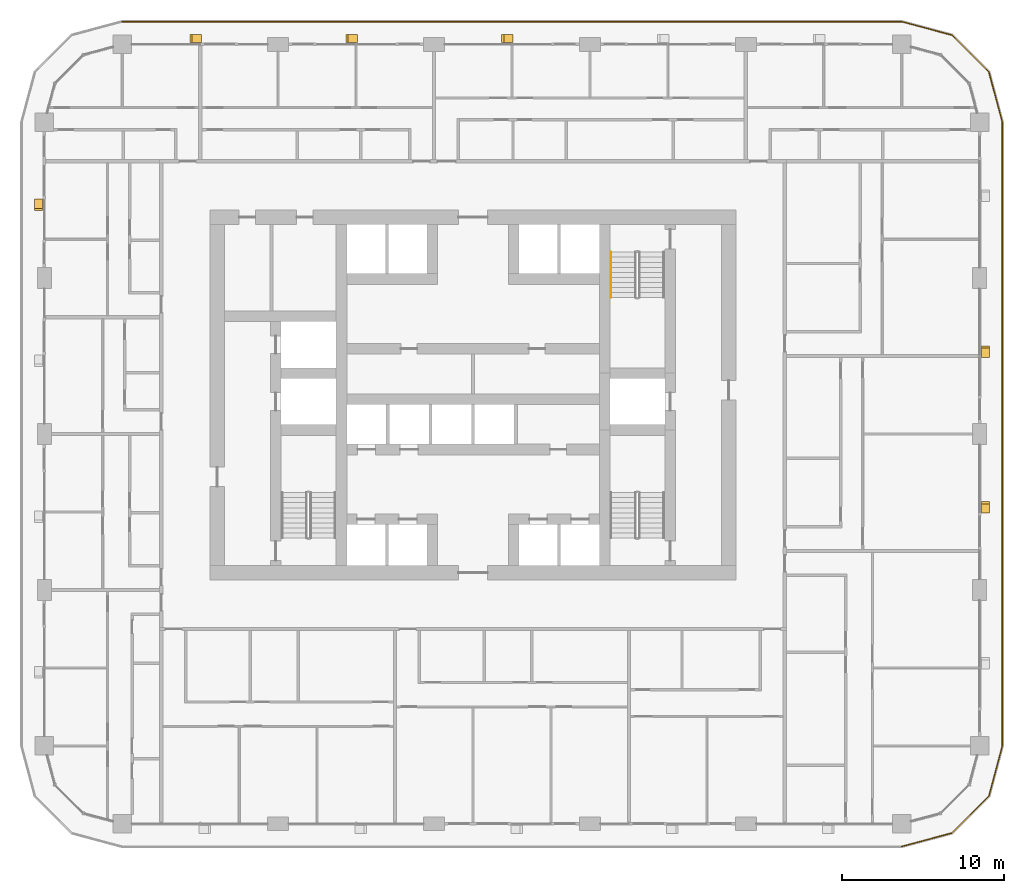
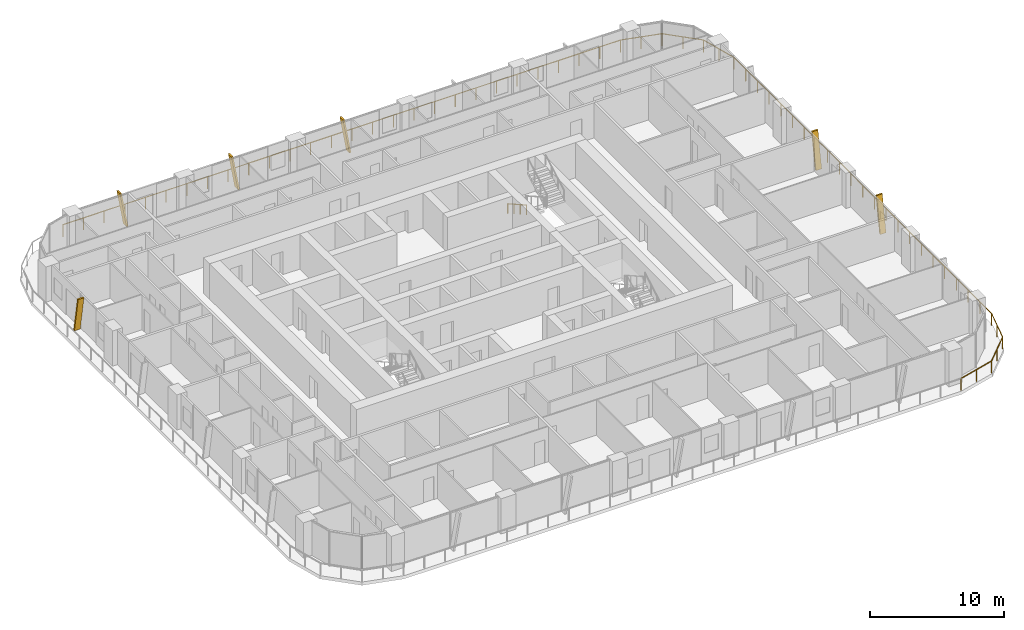
# One storey, part 21 of 22: 6 shading devices, 2 railings.
"""IFC4 building model written with IfcOpenShell, lengths in metres."""

from ifc_helpers import new_model, si_unit, direction, frame, origin, origin_2d, place, context, subcontext, project, spatial, polyline, circle, outline, extrude, material, type_object, element, save


model = new_model("IFC4")

# Units and contexts
model_context = context("Model", 3, precision=1e-05, world=origin(), true_north=direction((0.0, 1.0)))
body_context = subcontext(model_context, "Body", "Model", "MODEL_VIEW")
ifc_project = project(units=[si_unit("LENGTHUNIT", "METRE"), si_unit("AREAUNIT", "SQUARE_METRE"), si_unit("VOLUMEUNIT", "CUBIC_METRE"), si_unit("PLANEANGLEUNIT", "RADIAN"), si_unit("MASSUNIT", "GRAM", prefix="KILO")], contexts=[model_context])

# Site, building, storey
site_placement = place(None, origin())
site = spatial("IfcSite", under=ifc_project, at=site_placement, CompositionType="ELEMENT")
building_placement = place(site_placement, origin())
building = spatial("IfcBuilding", under=site, at=building_placement, Name="Madar Terraces", CompositionType="ELEMENT")
storey_placement = place(building_placement, frame((0.0, 0.0, 62.800048828125)))
storey = spatial("IfcBuildingStorey", under=building, at=storey_placement, Name="L15", CompositionType="ELEMENT", Elevation=62.800048828125)

# Railing
ifc_material_1 = material(Name="Glass, safety glazing, with stainless steel posts", Category="steel")
railing_type_1 = type_object("IfcRailingType", Name="Balcony glass guard 1100", PredefinedType="GUARDRAIL", material=ifc_material_1)
railing_1_placement = place(storey_placement, frame((57.60009765625, -1.39990234375, 0.0)))
element("IfcRailing", 1, at=railing_1_placement, inside=storey, type_object=railing_type_1, Name="Balcony guard", PredefinedType="GUARDRAIL", context=body_context, shape_type="SweptSolid", body=[
    extrude(circle(Radius=0.02392578125, at=origin_2d()), frame((0.0, 0.0, 1.076171875), z_axis=(0.965928696102, 0.258808334578, 0.0), x_axis=(-0.258808334578, 0.965928696102, 0.0)), (0.0, 0.0, 1.0), 3.209228515625),
    extrude(circle(Radius=0.02392578125, at=origin_2d()), frame((3.099853515625, 0.83056640625, 1.076171875), z_axis=(0.707144815061, 0.707068745266, 0.0), x_axis=(-0.707068745266, 0.707144815061, 0.0)), (0.0, 0.0, 1.0), 3.20947265625),
    extrude(circle(Radius=0.02392578125, at=origin_2d()), frame((5.369384765625, 3.099853515625, 1.076171875), z_axis=(0.258789317819, 0.9659337912, 0.0), x_axis=(-0.9659337912, 0.258789317819, 0.0)), (0.0, 0.0, 1.0), 3.20947265625),
    extrude(circle(Radius=0.02392578125, at=origin_2d()), frame((6.199951171875, 6.199951171875, 1.076171875), z_axis=(0.0, 1.0, 0.0), x_axis=(-1.0, 0.0, 0.0)), (0.0, 0.0, 1.0), 38.39990234375),
    extrude(circle(Radius=0.02392578125, at=origin_2d()), frame((6.199951171875, 44.599853515625, 1.076171875), z_axis=(-0.258789317819, 0.9659337912, 0.0), x_axis=(-0.9659337912, -0.258789317819, 0.0)), (0.0, 0.0, 1.0), 3.20947265625),
    extrude(circle(Radius=0.02392578125, at=origin_2d()), frame((5.369384765625, 47.699951171875, 1.076171875), z_axis=(-0.707144815061, 0.707068745266, 0.0), x_axis=(-0.707068745266, -0.707144815061, 0.0)), (0.0, 0.0, 1.0), 3.20947265625),
    extrude(circle(Radius=0.02392578125, at=origin_2d()), frame((3.099853515625, 49.96923828125, 1.076171875), z_axis=(-0.965928696102, 0.258808334578, 0.0), x_axis=(-0.258808334578, -0.965928696102, 0.0)), (0.0, 0.0, 1.0), 3.209228515625),
    extrude(circle(Radius=0.02392578125, at=origin_2d()), frame((0.0, 50.7998046875, 1.076171875), z_axis=(-1.0, 0.0, 0.0), x_axis=(0.0, -1.0, 0.0)), (0.0, 0.0, 1.0), 48.0),
    extrude(circle(Radius=0.02099609375, at=origin_2d()), origin(), (0.0, 0.0, 1.0), 1.052001953125),
    extrude(circle(Radius=0.02099609375, at=origin_2d()), frame((1.5498046875, 0.415283203125, 0.0)), (0.0, 0.0, 1.0), 1.052001953125),
    extrude(circle(Radius=0.02099609375, at=origin_2d()), frame((3.099853515625, 0.83056640625, 0.0)), (0.0, 0.0, 1.0), 1.052001953125),
    extrude(circle(Radius=0.02099609375, at=origin_2d()), frame((4.234619140625, 1.96533203125, 0.0)), (0.0, 0.0, 1.0), 1.052001953125),
    extrude(circle(Radius=0.02099609375, at=origin_2d()), frame((5.369384765625, 3.099853515625, 0.0)), (0.0, 0.0, 1.0), 1.052001953125),
    extrude(circle(Radius=0.02099609375, at=origin_2d()), frame((5.78466796875, 4.64990234375, 0.0)), (0.0, 0.0, 1.0), 1.052001953125),
    extrude(circle(Radius=0.02099609375, at=origin_2d()), frame((6.199951171875, 6.199951171875, 0.0)), (0.0, 0.0, 1.0), 1.052001953125),
    extrude(circle(Radius=0.02099609375, at=origin_2d()), frame((6.199951171875, 7.9453125, 0.0)), (0.0, 0.0, 1.0), 1.052001953125),
    extrude(circle(Radius=0.02099609375, at=origin_2d()), frame((6.199951171875, 9.69091796875, 0.0)), (0.0, 0.0, 1.0), 1.052001953125),
    extrude(circle(Radius=0.02099609375, at=origin_2d()), frame((6.199951171875, 11.436279296875, 0.0)), (0.0, 0.0, 1.0), 1.052001953125),
    extrude(circle(Radius=0.02099609375, at=origin_2d()), frame((6.199951171875, 13.181640625, 0.0)), (0.0, 0.0, 1.0), 1.052001953125),
    extrude(circle(Radius=0.02099609375, at=origin_2d()), frame((6.199951171875, 14.92724609375, 0.0)), (0.0, 0.0, 1.0), 1.052001953125),
    extrude(circle(Radius=0.02099609375, at=origin_2d()), frame((6.199951171875, 16.672607421875, 0.0)), (0.0, 0.0, 1.0), 1.052001953125),
    extrude(circle(Radius=0.02099609375, at=origin_2d()), frame((6.199951171875, 18.418212890625, 0.0)), (0.0, 0.0, 1.0), 1.052001953125),
    extrude(circle(Radius=0.02099609375, at=origin_2d()), frame((6.199951171875, 20.16357421875, 0.0)), (0.0, 0.0, 1.0), 1.052001953125),
    extrude(circle(Radius=0.02099609375, at=origin_2d()), frame((6.199951171875, 21.908935546875, 0.0)), (0.0, 0.0, 1.0), 1.052001953125),
    extrude(circle(Radius=0.02099609375, at=origin_2d()), frame((6.199951171875, 23.654541015625, 0.0)), (0.0, 0.0, 1.0), 1.052001953125),
    extrude(circle(Radius=0.02099609375, at=origin_2d()), frame((6.199951171875, 25.39990234375, 0.0)), (0.0, 0.0, 1.0), 1.052001953125),
    extrude(circle(Radius=0.02099609375, at=origin_2d()), frame((6.199951171875, 27.145263671875, 0.0)), (0.0, 0.0, 1.0), 1.052001953125),
    extrude(circle(Radius=0.02099609375, at=origin_2d()), frame((6.199951171875, 28.890869140625, 0.0)), (0.0, 0.0, 1.0), 1.052001953125),
    extrude(circle(Radius=0.02099609375, at=origin_2d()), frame((6.199951171875, 30.63623046875, 0.0)), (0.0, 0.0, 1.0), 1.052001953125),
    extrude(circle(Radius=0.02099609375, at=origin_2d()), frame((6.199951171875, 32.381591796875, 0.0)), (0.0, 0.0, 1.0), 1.052001953125),
    extrude(circle(Radius=0.02099609375, at=origin_2d()), frame((6.199951171875, 34.127197265625, 0.0)), (0.0, 0.0, 1.0), 1.052001953125),
    extrude(circle(Radius=0.02099609375, at=origin_2d()), frame((6.199951171875, 35.87255859375, 0.0)), (0.0, 0.0, 1.0), 1.052001953125),
    extrude(circle(Radius=0.02099609375, at=origin_2d()), frame((6.199951171875, 37.6181640625, 0.0)), (0.0, 0.0, 1.0), 1.052001953125),
    extrude(circle(Radius=0.02099609375, at=origin_2d()), frame((6.199951171875, 39.363525390625, 0.0)), (0.0, 0.0, 1.0), 1.052001953125),
    extrude(circle(Radius=0.02099609375, at=origin_2d()), frame((6.199951171875, 41.10888671875, 0.0)), (0.0, 0.0, 1.0), 1.052001953125),
    extrude(circle(Radius=0.02099609375, at=origin_2d()), frame((6.199951171875, 42.8544921875, 0.0)), (0.0, 0.0, 1.0), 1.052001953125),
    extrude(circle(Radius=0.02099609375, at=origin_2d()), frame((6.199951171875, 44.599853515625, 0.0)), (0.0, 0.0, 1.0), 1.052001953125),
    extrude(circle(Radius=0.02099609375, at=origin_2d()), frame((5.78466796875, 46.14990234375, 0.0)), (0.0, 0.0, 1.0), 1.052001953125),
    extrude(circle(Radius=0.02099609375, at=origin_2d()), frame((5.369384765625, 47.699951171875, 0.0)), (0.0, 0.0, 1.0), 1.052001953125),
    extrude(circle(Radius=0.02099609375, at=origin_2d()), frame((4.234619140625, 48.83447265625, 0.0)), (0.0, 0.0, 1.0), 1.052001953125),
    extrude(circle(Radius=0.02099609375, at=origin_2d()), frame((3.099853515625, 49.96923828125, 0.0)), (0.0, 0.0, 1.0), 1.052001953125),
    extrude(circle(Radius=0.02099609375, at=origin_2d()), frame((1.5498046875, 50.384521484375, 0.0)), (0.0, 0.0, 1.0), 1.052001953125),
    extrude(circle(Radius=0.02099609375, at=origin_2d()), frame((0.0, 50.7998046875, 0.0)), (0.0, 0.0, 1.0), 1.052001953125),
    extrude(circle(Radius=0.02099609375, at=origin_2d()), frame((-1.77783203125, 50.7998046875, 0.0)), (0.0, 0.0, 1.0), 1.052001953125),
    extrude(circle(Radius=0.02099609375, at=origin_2d()), frame((-3.5556640625, 50.7998046875, 0.0)), (0.0, 0.0, 1.0), 1.052001953125),
    extrude(circle(Radius=0.02099609375, at=origin_2d()), frame((-5.333251953125, 50.7998046875, 0.0)), (0.0, 0.0, 1.0), 1.052001953125),
    extrude(circle(Radius=0.02099609375, at=origin_2d()), frame((-7.111083984375, 50.7998046875, 0.0)), (0.0, 0.0, 1.0), 1.052001953125),
    extrude(circle(Radius=0.02099609375, at=origin_2d()), frame((-8.888916015625, 50.7998046875, 0.0)), (0.0, 0.0, 1.0), 1.052001953125),
    extrude(circle(Radius=0.02099609375, at=origin_2d()), frame((-10.666748046875, 50.7998046875, 0.0)), (0.0, 0.0, 1.0), 1.052001953125),
    extrude(circle(Radius=0.02099609375, at=origin_2d()), frame((-12.4443359375, 50.7998046875, 0.0)), (0.0, 0.0, 1.0), 1.052001953125),
    extrude(circle(Radius=0.02099609375, at=origin_2d()), frame((-14.22216796875, 50.7998046875, 0.0)), (0.0, 0.0, 1.0), 1.052001953125),
    extrude(circle(Radius=0.02099609375, at=origin_2d()), frame((-16.0, 50.7998046875, 0.0)), (0.0, 0.0, 1.0), 1.052001953125),
    extrude(circle(Radius=0.02099609375, at=origin_2d()), frame((-17.77783203125, 50.7998046875, 0.0)), (0.0, 0.0, 1.0), 1.052001953125),
    extrude(circle(Radius=0.02099609375, at=origin_2d()), frame((-19.5556640625, 50.7998046875, 0.0)), (0.0, 0.0, 1.0), 1.052001953125),
    extrude(circle(Radius=0.02099609375, at=origin_2d()), frame((-21.333251953125, 50.7998046875, 0.0)), (0.0, 0.0, 1.0), 1.052001953125),
    extrude(circle(Radius=0.02099609375, at=origin_2d()), frame((-23.111083984375, 50.7998046875, 0.0)), (0.0, 0.0, 1.0), 1.052001953125),
    extrude(circle(Radius=0.02099609375, at=origin_2d()), frame((-24.888916015625, 50.7998046875, 0.0)), (0.0, 0.0, 1.0), 1.052001953125),
    extrude(circle(Radius=0.02099609375, at=origin_2d()), frame((-26.666748046875, 50.7998046875, 0.0)), (0.0, 0.0, 1.0), 1.052001953125),
    extrude(circle(Radius=0.02099609375, at=origin_2d()), frame((-28.4443359375, 50.7998046875, 0.0)), (0.0, 0.0, 1.0), 1.052001953125),
    extrude(circle(Radius=0.02099609375, at=origin_2d()), frame((-30.22216796875, 50.7998046875, 0.0)), (0.0, 0.0, 1.0), 1.052001953125),
    extrude(circle(Radius=0.02099609375, at=origin_2d()), frame((-32.0, 50.7998046875, 0.0)), (0.0, 0.0, 1.0), 1.052001953125),
    extrude(circle(Radius=0.02099609375, at=origin_2d()), frame((-33.77783203125, 50.7998046875, 0.0)), (0.0, 0.0, 1.0), 1.052001953125),
    extrude(circle(Radius=0.02099609375, at=origin_2d()), frame((-35.5556640625, 50.7998046875, 0.0)), (0.0, 0.0, 1.0), 1.052001953125),
    extrude(circle(Radius=0.02099609375, at=origin_2d()), frame((-37.333251953125, 50.7998046875, 0.0)), (0.0, 0.0, 1.0), 1.052001953125),
    extrude(circle(Radius=0.02099609375, at=origin_2d()), frame((-39.111083984375, 50.7998046875, 0.0)), (0.0, 0.0, 1.0), 1.052001953125),
    extrude(circle(Radius=0.02099609375, at=origin_2d()), frame((-40.888916015625, 50.7998046875, 0.0)), (0.0, 0.0, 1.0), 1.052001953125),
    extrude(circle(Radius=0.02099609375, at=origin_2d()), frame((-42.666748046875, 50.7998046875, 0.0)), (0.0, 0.0, 1.0), 1.052001953125),
    extrude(circle(Radius=0.02099609375, at=origin_2d()), frame((-44.4443359375, 50.7998046875, 0.0)), (0.0, 0.0, 1.0), 1.052001953125),
    extrude(circle(Radius=0.02099609375, at=origin_2d()), frame((-46.22216796875, 50.7998046875, 0.0)), (0.0, 0.0, 1.0), 1.052001953125),
    extrude(circle(Radius=0.02099609375, at=origin_2d()), frame((-48.0, 50.7998046875, 0.0)), (0.0, 0.0, 1.0), 1.052001953125),
])

# Shading devices
ifc_material_2 = material(Name="Aluminium, black anodised", Category="aluminium")
shading_device_type = type_object("IfcShadingDeviceType", Name="Facade fin blade 140 x 500", PredefinedType="USERDEFINED", material=ifc_material_2)
for number, where, z_axis, x_axis, name in (
    (2, (62.75, 19.1298828125, 0.0), (0.0, 0.0, 1.0), (0.0, 1.0, 0.0), "FIN L15 E2"),
    (3, (62.75, 28.72998046875, 0.0), (0.0, 0.0, 1.0), (0.0, 1.0, 0.0), "FIN L15 E3"),
):
    element("IfcShadingDevice", number, at=place(storey_placement, frame(where, z_axis=z_axis, x_axis=x_axis)), inside=storey, type_object=shading_device_type, Name=name, ObjectType="FIN", PredefinedType="USERDEFINED", context=body_context, shape_type="SweptSolid", body=[
        extrude(outline(polyline([(0.0, 0.0), (0.14013671875, 0.0), (0.704345703125, 3.199951171875), (0.564208984375, 3.199951171875), (0.0, 0.0)])), frame((0.0, 0.25, 0.0), z_axis=(0.0, -1.0, 0.0), x_axis=(1.0, 0.0, 0.0)), (0.0, 0.0, 1.0), 0.5),
    ])
shading_device_1_placement = place(storey_placement, frame((33.669921875, 48.35009765625, 0.0), z_axis=(0.0, 0.0, 1.0), x_axis=(-1.0, 0.0, 0.0)))
element("IfcShadingDevice", 4, at=shading_device_1_placement, inside=storey, type_object=shading_device_type, Name="FIN L15 N3", ObjectType="FIN", PredefinedType="USERDEFINED", context=body_context, shape_type="SweptSolid", body=[
    extrude(outline(polyline([(0.0, 0.0), (0.139892578125, 0.0), (0.704345703125, 3.199951171875), (0.564208984375, 3.199951171875), (0.0, 0.0)])), frame((0.0, 0.25, 0.0), z_axis=(0.0, -1.0, 0.0), x_axis=(1.0, 0.0, 0.0)), (0.0, 0.0, 1.0), 0.5),
])
shading_device_2_placement = place(storey_placement, frame((24.070068359375, 48.35009765625, 0.0), z_axis=(0.0, 0.0, 1.0), x_axis=(-1.0, 0.0, 0.0)))
element("IfcShadingDevice", 5, at=shading_device_2_placement, inside=storey, type_object=shading_device_type, Name="FIN L15 N4", ObjectType="FIN", PredefinedType="USERDEFINED", context=body_context, shape_type="SweptSolid", body=[
    extrude(outline(polyline([(0.0, 0.0), (0.14013671875, 0.0), (0.704345703125, 3.199951171875), (0.564208984375, 3.199951171875), (0.0, 0.0)])), frame((0.0, 0.25, 0.0), z_axis=(0.0, -1.0, 0.0), x_axis=(1.0, 0.0, 0.0)), (0.0, 0.0, 1.0), 0.5),
])
for number, where, z_axis, x_axis, name in (
    (6, (14.469970703125, 48.35009765625, 0.0), (0.0, 0.0, 1.0), (-1.0, 0.0, 0.0), "FIN L15 N5"),
    (7, (4.449951171875, 38.469970703125, 0.0), (0.0, 0.0, 1.0), (0.0, -1.0, 0.0), "FIN L15 W1"),
):
    element("IfcShadingDevice", number, at=place(storey_placement, frame(where, z_axis=z_axis, x_axis=x_axis)), inside=storey, type_object=shading_device_type, Name=name, ObjectType="FIN", PredefinedType="USERDEFINED", context=body_context, shape_type="SweptSolid", body=[
        extrude(outline(polyline([(0.0, 0.0), (0.139892578125, 0.0), (0.704345703125, 3.199951171875), (0.564208984375, 3.199951171875), (0.0, 0.0)])), frame((0.0, 0.25, 0.0), z_axis=(0.0, -1.0, 0.0), x_axis=(1.0, 0.0, 0.0)), (0.0, 0.0, 1.0), 0.5),
    ])

# Railing
ifc_material_3 = material(Name="Stainless steel railing", Category="steel")
railing_type_2 = type_object("IfcRailingType", Name="Stair handrail 900", PredefinedType="HANDRAIL", material=ifc_material_3)
railing_2_placement = place(storey_placement, frame((39.699951171875, 35.199951171875, 0.175048828125)))
element("IfcRailing", 8, at=railing_2_placement, inside=storey, type_object=railing_type_2, Name="L15 ST2 stair handrail 1", PredefinedType="HANDRAIL", context=body_context, shape_type="SweptSolid", body=[
    extrude(circle(Radius=0.02392578125, at=origin_2d()), frame((0.0, 0.0, 0.8759765625), z_axis=(0.0, -0.870833779661, 0.491577591232), x_axis=(1.0, 0.0, 0.0)), (0.0, 0.0, 1.0), 3.203857421875),
    extrude(circle(Radius=0.02099609375, at=origin_2d()), origin(), (0.0, 0.0, 1.0), 0.851806640625),
    extrude(circle(Radius=0.02099609375, at=origin_2d()), frame((0.0, -0.929931640625, 0.52490234375)), (0.0, 0.0, 1.0), 0.851806640625),
    extrude(circle(Radius=0.02099609375, at=origin_2d()), frame((0.0, -1.860107421875, 1.050048828125)), (0.0, 0.0, 1.0), 0.851806640625),
    extrude(circle(Radius=0.02099609375, at=origin_2d()), frame((0.0, -2.7900390625, 1.574951171875)), (0.0, 0.0, 1.0), 0.851806640625),
])

save(model, "model.ifc")
